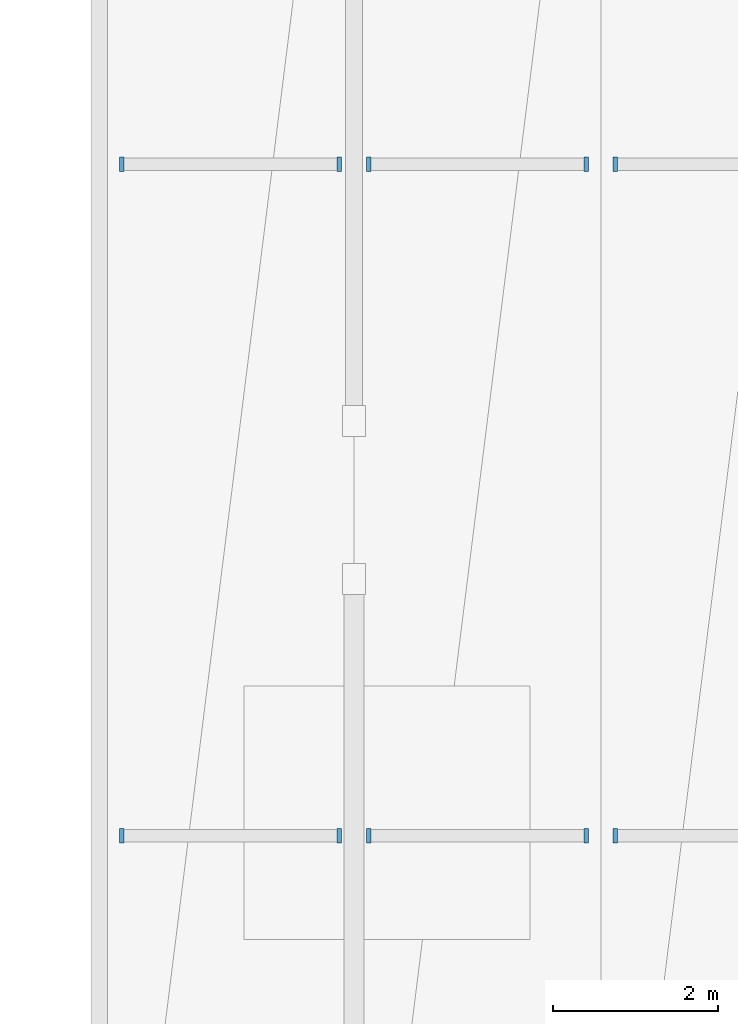
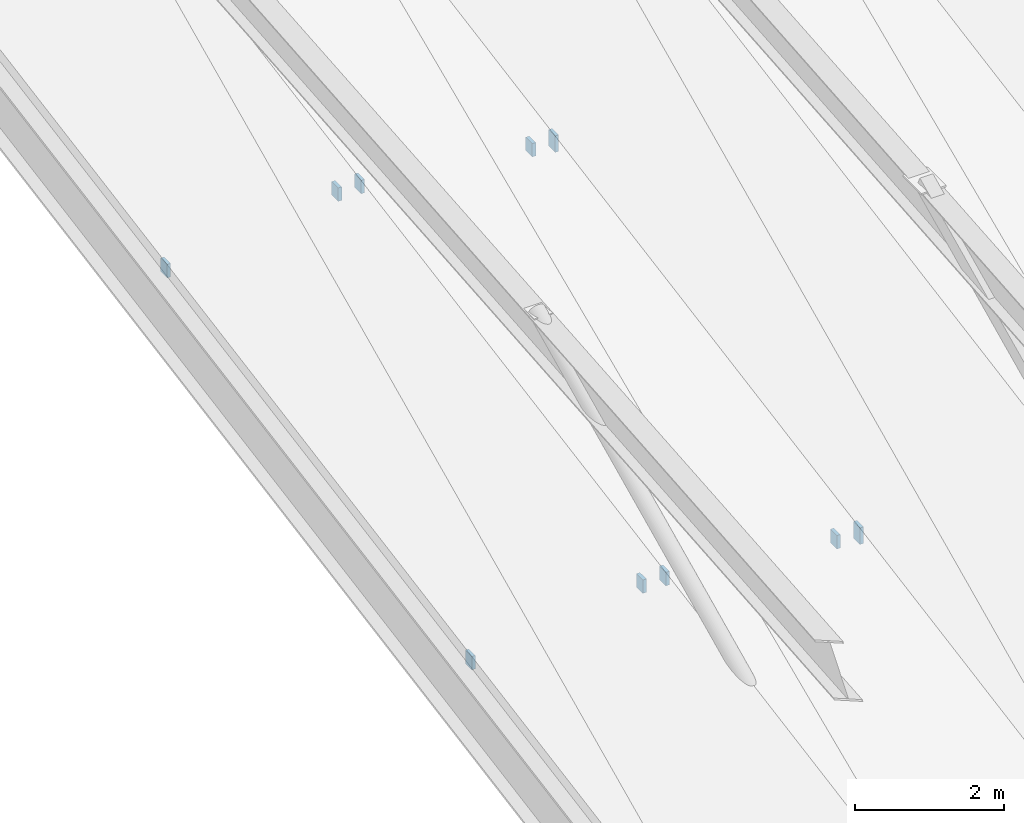
# One storey, part 33 of 52: 10 discrete accessories.
"""IFC4 building model written with IfcOpenShell, lengths in metres."""

from ifc_helpers import new_model, si_unit, direction, frame, origin, origin_2d, place, context, subcontext, project, spatial, rectangle, extrude, material, layer, layer_set, type_object, element, save


model = new_model("IFC4")

# Units and contexts
model_context = context("Model", 3, precision=1e-05, world=origin(), true_north=direction((0.0, 1.0)))
body_context = subcontext(model_context, "Body", "Model", "MODEL_VIEW")
ifc_project = project(units=[si_unit("LENGTHUNIT", "METRE"), si_unit("AREAUNIT", "SQUARE_METRE"), si_unit("VOLUMEUNIT", "CUBIC_METRE"), si_unit("PLANEANGLEUNIT", "RADIAN"), si_unit("MASSUNIT", "GRAM", prefix="KILO")], contexts=[model_context])

# Site, building, storey
site_placement = place(None, origin())
site = spatial("IfcSite", under=ifc_project, at=site_placement, CompositionType="ELEMENT")
building_placement = place(site_placement, origin())
building = spatial("IfcBuilding", under=site, at=building_placement, Name="Vaelkrest Opera House", CompositionType="ELEMENT")
storey_placement = place(building_placement, frame((0.0, 0.0, 41.39990234375)))
storey = spatial("IfcBuildingStorey", under=building, at=storey_placement, Name="ROOF", CompositionType="ELEMENT", Elevation=41.39990234375)

# Discrete accessories
ifc_material = material(Name="Steel A572 Gr50", Category="steel")
ifc_layer = layer(ifc_material, 0.320068359375)
ifc_layer_set = layer_set([ifc_layer], Name="Steel A572 Gr50")
discrete_accessory_type = type_object("IfcDiscreteAccessoryType", Name="ECP01", PredefinedType="USERDEFINED", material=ifc_layer_set)
for number, where, z_axis, x_axis, name in (
    (1, (-29.822509765625, -23.8798828125, -10.9833984375), (0.0, 0.0, 1.0), (1.0, 0.0, 0.0), "Purlin HSS end cap plate V1-01-S2-33-W0"),
    (2, (-27.177490234375, -23.8798828125, -10.6591796875), (0.0, 0.0, 1.0), (1.0, 0.0, 0.0), "Purlin HSS end cap plate V1-01-S2-33-W1"),
    (3, (-26.822509765625, -23.8798828125, -10.6591796875), (0.0, 0.0, 1.0), (1.0, 0.0, 0.0), "Purlin HSS end cap plate V1-01-S2-33-E0"),
    (4, (-24.177490234375, -23.8798828125, -10.9833984375), (0.0, 0.0, 1.0), (1.0, 0.0, 0.0), "Purlin HSS end cap plate V1-01-S2-33-E1"),
    (5, (-29.822509765625, -15.719970703125, -9.5234375), (0.0, 0.0, 1.0), (1.0, 0.0, 0.0), "Purlin HSS end cap plate V1-01-S2-67-W0"),
    (6, (-27.177490234375, -15.719970703125, -9.19921875), (0.0, 0.0, 1.0), (1.0, 0.0, 0.0), "Purlin HSS end cap plate V1-01-S2-67-W1"),
    (7, (-26.822509765625, -15.719970703125, -9.19921875), (0.0, 0.0, 1.0), (1.0, 0.0, 0.0), "Purlin HSS end cap plate V1-01-S2-67-E0"),
    (8, (-24.177490234375, -15.719970703125, -9.5234375), (0.0, 0.0, 1.0), (1.0, 0.0, 0.0), "Purlin HSS end cap plate V1-01-S2-67-E1"),
):
    element("IfcDiscreteAccessory", number, at=place(storey_placement, frame(where, z_axis=z_axis, x_axis=x_axis)), inside=storey, type_object=discrete_accessory_type, Name=name, ObjectType="CAP PLATE", PredefinedType="USERDEFINED", context=body_context, shape_type="SweptSolid", body=[
        extrude(rectangle(XDim=0.054931640625, YDim=0.176025390625, at=origin_2d()), origin(), (0.0, 0.0, 1.0), 0.218994140625),
    ])
for number, where, z_axis, x_axis, name in (
    (9, (-23.822509765625, -23.8798828125, -11.033935546875), (0.0, 0.0, 1.0), (1.0, 0.0, 0.0), "Purlin HSS end cap plate V1-02-S2-33-W0"),
    (10, (-23.822509765625, -15.719970703125, -9.573974609375), (0.0, 0.0, 1.0), (1.0, 0.0, 0.0), "Purlin HSS end cap plate V1-02-S2-67-W0"),
):
    element("IfcDiscreteAccessory", number, at=place(storey_placement, frame(where, z_axis=z_axis, x_axis=x_axis)), inside=storey, type_object=discrete_accessory_type, Name=name, ObjectType="CAP PLATE", PredefinedType="USERDEFINED", context=body_context, shape_type="SweptSolid", body=[
        extrude(rectangle(XDim=0.054931640625, YDim=0.176025390625, at=origin_2d()), origin(), (0.0, 0.0, 1.0), 0.27001953125),
    ])

save(model, "model.ifc")
